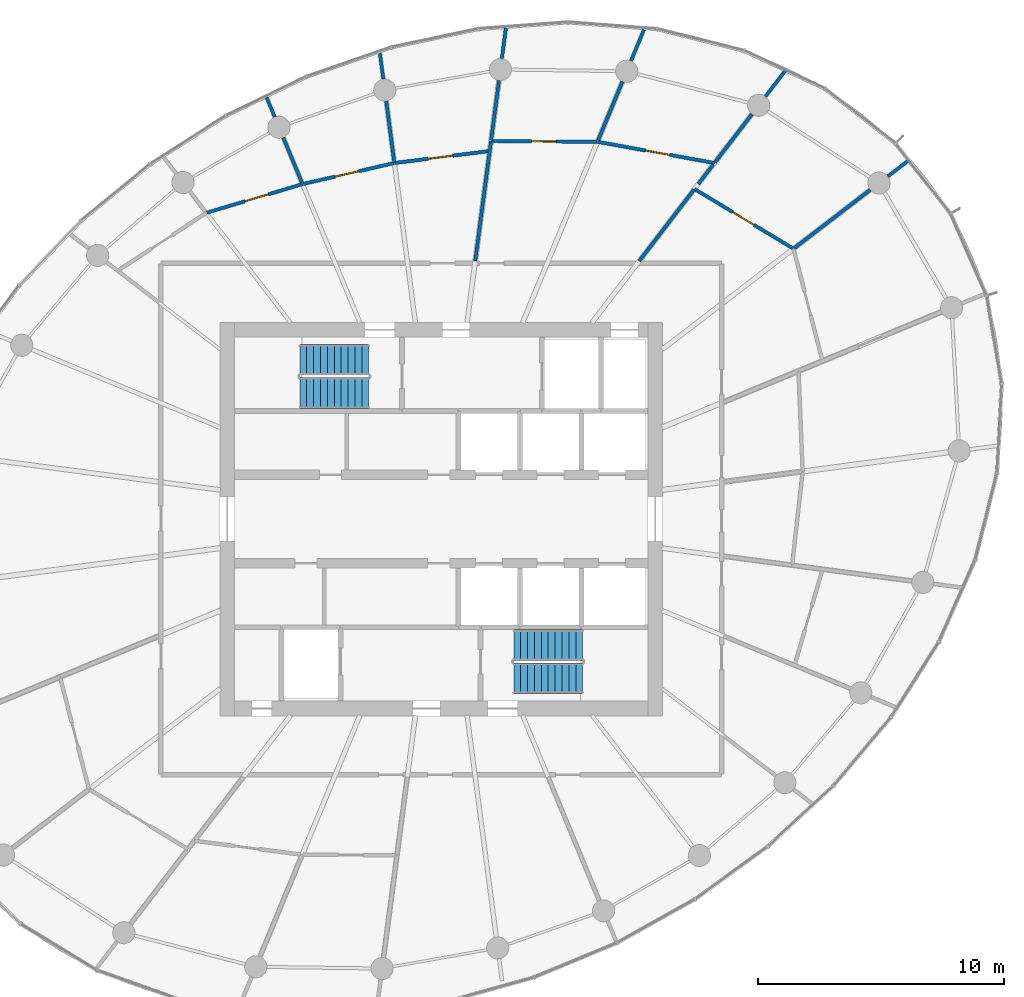
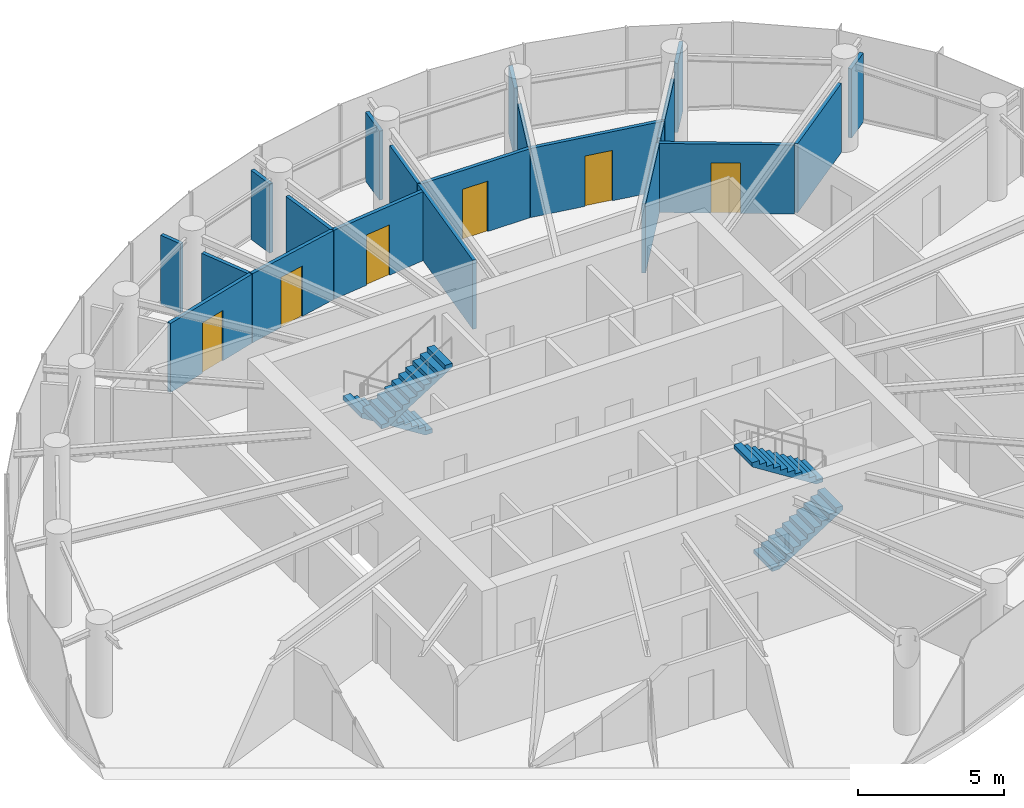
# One storey, part 12 of 14: 21 walls, 6 doors, 4 stair flights, 6 openings, 2 elements without a shape of their own.
"""IFC4 building model written with IfcOpenShell, lengths in metres."""

from ifc_helpers import new_model, si_unit, direction, frame, frame_2d, origin, place, context, subcontext, project, spatial, line, indexed_curve, rectangle, outline, extrude, source, transform, mapped, material, layer, layer_set, type_object, element, fill, aggregate, save


model = new_model("IFC4")

# Units and contexts
model_context = context("Model", 3, precision=1e-05, world=origin(), true_north=direction((0.0, 1.0)))
body_context = subcontext(model_context, "Body", "Model", "MODEL_VIEW")
ifc_project = project(units=[si_unit("LENGTHUNIT", "METRE"), si_unit("AREAUNIT", "SQUARE_METRE"), si_unit("VOLUMEUNIT", "CUBIC_METRE"), si_unit("PLANEANGLEUNIT", "RADIAN"), si_unit("MASSUNIT", "GRAM", prefix="KILO")], contexts=[model_context])

# Site, building, storey
site_placement = place(None, origin())
site = spatial("IfcSite", under=ifc_project, at=site_placement, CompositionType="ELEMENT")
building_placement = place(site_placement, origin())
building = spatial("IfcBuilding", under=site, at=building_placement, Name="Spindrift Exchange Tower", CompositionType="ELEMENT")
storey_placement = place(building_placement, frame((0.0, 0.0, 211.10009765625)))
storey = spatial("IfcBuildingStorey", under=building, at=storey_placement, Name="L51", CompositionType="ELEMENT", Elevation=211.10009765625)

# Wall
ifc_material_1 = material(Name="Fire-rated plasterboard partition", Category="gypsum")
ifc_layer = layer(ifc_material_1, 0.139892578125)
ifc_layer_set = layer_set([ifc_layer], Name="W-PART-140")
wall_type = type_object("IfcWallType", Name="W-PART-140", PredefinedType="PARTITIONING", material=ifc_layer_set)
wall_1_placement = place(storey_placement, frame((53.381103515625, 58.489990234375, 0.0), z_axis=(0.0, 0.0, 1.0), x_axis=(0.130510929427, 0.991446870639, 0.0)))
element("IfcWall", 1, at=wall_1_placement, inside=storey, type_object=wall_type, Name="L51 Partition wall 35", PredefinedType="PARTITIONING", context=body_context, shape_type="SweptSolid", body=[
    extrude(rectangle(XDim=4.925537109375, YDim=0.139892578125, at=frame_2d((2.462890625, 0.0))), origin(), (0.0, 0.0, 1.0), 2.8798828125),
])

# Wall, opening, door
wall_2_placement = place(storey_placement, frame((58.353759765625, 63.33935546875, 0.0), z_axis=(0.0, 0.0, 1.0), x_axis=(0.983980456021, -0.178276364581, 0.0)))
wall_2 = element("IfcWall", 2, at=wall_2_placement, inside=storey, type_object=wall_type, Name="L51 Partition wall 37", PredefinedType="PARTITIONING", context=body_context, shape_type="SweptSolid", body=[
    extrude(rectangle(XDim=4.832763671875, YDim=0.139892578125, at=frame_2d((2.41650390625, 0.0))), origin(), (0.0, 0.0, 1.0), 2.8798828125),
])
opening_1_placement = place(wall_2_placement, frame((1.98291015625, 0.0, 0.0)))
opening_1 = element("IfcOpeningElement", 3, at=opening_1_placement, cuts=wall_2, Name="Opening L51-D26", PredefinedType="OPENING", context=body_context, shape_type="SweptSolid", body=[
    extrude(rectangle(XDim=1.0, YDim=2.10009765625, at=frame_2d((0.5, 1.050048828125))), frame((0.0, 0.079833984375, 0.0), z_axis=(0.0, -1.0, 0.0), x_axis=(1.0, 0.0, 0.0)), (0.0, 0.0, 1.0), 0.159912109375),
])
ifc_material_2 = material(Name="Timber-core fire door", Category="wood")
door_type = type_object("IfcDoorType", Name="DR-ROOM-1000", OperationType="NOTDEFINED", PredefinedType="DOOR", material=ifc_material_2)
shared_shape = source(origin(), body_context, "Body", "SweptSolid", [
    extrude(rectangle(XDim=1.0, YDim=2.10009765625, at=frame_2d((0.5, 1.050048828125))), frame((0.0, 0.02490234375, 0.0), z_axis=(0.0, -1.0, 0.0), x_axis=(1.0, 0.0, 0.0)), (0.0, 0.0, 1.0), 0.050048828125),
])
door_1_placement = place(opening_1_placement, origin())
door_1 = element("IfcDoor", 4, at=door_1_placement, inside=storey, type_object=door_type, Name="L51 Door 26", OperationType="SINGLE_SWING_RIGHT", OverallHeight=2.10009765625, OverallWidth=1.0, PredefinedType="DOOR", context=body_context, shape_type="MappedRepresentation", body=[
    mapped(shared_shape, transform((0.0, 0.0, 0.0), scale=1.0)),
])
fill(opening_1, door_1)

wall_3_placement = place(storey_placement, frame((62.297607421875, 61.419921875, 0.0), z_axis=(0.0, 0.0, 1.0), x_axis=(0.856310382511, -0.516461546298, 0.0)))
wall_3 = element("IfcWall", 5, at=wall_3_placement, inside=storey, type_object=wall_type, Name="L51 Partition wall 40", PredefinedType="PARTITIONING", context=body_context, shape_type="SweptSolid", body=[
    extrude(rectangle(XDim=4.67236328125, YDim=0.139892578125, at=frame_2d((2.336181640625, 0.0))), origin(), (0.0, 0.0, 1.0), 2.8798828125),
])
opening_2_placement = place(wall_3_placement, frame((1.822509765625, 0.0, 0.0)))
opening_2 = element("IfcOpeningElement", 6, at=opening_2_placement, cuts=wall_3, Name="Opening L51-D23", PredefinedType="OPENING", context=body_context, shape_type="SweptSolid", body=[
    extrude(rectangle(XDim=1.0, YDim=2.10009765625, at=frame_2d((0.5, 1.050048828125))), frame((0.0, 0.079833984375, 0.0), z_axis=(0.0, -1.0, 0.0), x_axis=(1.0, 0.0, 0.0)), (0.0, 0.0, 1.0), 0.159912109375),
])
door_2_placement = place(opening_2_placement, origin())
door_2 = element("IfcDoor", 7, at=door_2_placement, inside=storey, type_object=door_type, Name="L51 Door 23", OperationType="SINGLE_SWING_LEFT", OverallHeight=2.10009765625, OverallWidth=1.0, PredefinedType="DOOR", context=body_context, shape_type="MappedRepresentation", body=[
    mapped(shared_shape, transform((0.0, 0.0, 0.0), scale=1.0)),
])
fill(opening_2, door_2)

wall_4_placement = place(storey_placement, frame((54.053955078125, 63.373046875, 0.0), z_axis=(0.0, 0.0, 1.0), x_axis=(0.999969319587, -0.007833255005, 0.0)))
wall_4 = element("IfcWall", 8, at=wall_4_placement, inside=storey, type_object=wall_type, Name="L51 Partition wall 45", PredefinedType="PARTITIONING", context=body_context, shape_type="SweptSolid", body=[
    extrude(rectangle(XDim=4.27001953125, YDim=0.139892578125, at=frame_2d((2.135009765625, 0.0))), origin(), (0.0, 0.0, 1.0), 2.8798828125),
])
opening_3_placement = place(wall_4_placement, frame((1.6201171875, 0.0, 0.0)))
opening_3 = element("IfcOpeningElement", 9, at=opening_3_placement, cuts=wall_4, Name="Opening L51-D27", PredefinedType="OPENING", context=body_context, shape_type="SweptSolid", body=[
    extrude(rectangle(XDim=1.0, YDim=2.10009765625, at=frame_2d((0.5, 1.050048828125))), frame((0.0, 0.079833984375, 0.0), z_axis=(0.0, -1.0, 0.0), x_axis=(1.0, 0.0, 0.0)), (0.0, 0.0, 1.0), 0.159912109375),
])
door_3_placement = place(opening_3_placement, origin())
door_3 = element("IfcDoor", 10, at=door_3_placement, inside=storey, type_object=door_type, Name="L51 Door 27", OperationType="SINGLE_SWING_LEFT", OverallHeight=2.10009765625, OverallWidth=1.0, PredefinedType="DOOR", context=body_context, shape_type="MappedRepresentation", body=[
    mapped(shared_shape, transform((0.0, 0.0, 0.0), scale=1.0)),
])
fill(opening_3, door_3)

wall_5_placement = place(storey_placement, frame((42.474853515625, 60.45947265625, 0.0), z_axis=(0.0, 0.0, 1.0), x_axis=(0.958218274214, 0.286038002655, 0.0)))
wall_5 = element("IfcWall", 11, at=wall_5_placement, inside=storey, type_object=wall_type, Name="L51 Partition wall 49", PredefinedType="PARTITIONING", context=body_context, shape_type="SweptSolid", body=[
    extrude(rectangle(XDim=4.053466796875, YDim=0.139892578125, at=frame_2d((2.02685546875, 0.0))), origin(), (0.0, 0.0, 1.0), 2.8798828125),
])
opening_4_placement = place(wall_5_placement, frame((1.603271484375, 0.0, 0.0)))
opening_4 = element("IfcOpeningElement", 12, at=opening_4_placement, cuts=wall_5, Name="Opening L51-D31", PredefinedType="OPENING", context=body_context, shape_type="SweptSolid", body=[
    extrude(rectangle(XDim=1.0, YDim=2.10009765625, at=frame_2d((0.5, 1.050048828125))), frame((0.0, 0.079833984375, 0.0), z_axis=(0.0, -1.0, 0.0), x_axis=(1.0, 0.0, 0.0)), (0.0, 0.0, 1.0), 0.159912109375),
])
door_4_placement = place(opening_4_placement, origin())
door_4 = element("IfcDoor", 13, at=door_4_placement, inside=storey, type_object=door_type, Name="L51 Door 31", OperationType="SINGLE_SWING_LEFT", OverallHeight=2.10009765625, OverallWidth=1.0, PredefinedType="DOOR", context=body_context, shape_type="MappedRepresentation", body=[
    mapped(shared_shape, transform((0.0, 0.0, 0.0), scale=1.0)),
])
fill(opening_4, door_4)

# Wall
wall_6_placement = place(storey_placement, frame((66.347900390625, 59.009521484375, 0.0), z_axis=(0.0, 0.0, 1.0), x_axis=(0.793347300472, 0.608769300173, 0.0)))
element("IfcWall", 14, at=wall_6_placement, inside=storey, type_object=wall_type, Name="L51 Partition wall 52", PredefinedType="PARTITIONING", context=body_context, shape_type="SweptSolid", body=[
    extrude(rectangle(XDim=3.8994140625, YDim=0.139892578125, at=frame_2d((1.94970703125, 0.0))), origin(), (0.0, 0.0, 1.0), 2.8798828125),
])

# Wall, opening, door
wall_7_placement = place(storey_placement, frame((50.09423828125, 62.476318359375, 0.0), z_axis=(0.0, 0.0, 1.0), x_axis=(0.99213420041, 0.12517878565, 0.0)))
wall_7 = element("IfcWall", 15, at=wall_7_placement, inside=storey, type_object=wall_type, Name="L51 Partition wall 53", PredefinedType="PARTITIONING", context=body_context, shape_type="SweptSolid", body=[
    extrude(rectangle(XDim=3.83447265625, YDim=0.139892578125, at=frame_2d((1.917236328125, 0.0))), origin(), (0.0, 0.0, 1.0), 2.8798828125),
])
opening_5_placement = place(wall_7_placement, frame((1.384521484375, 0.0, 0.0)))
opening_5 = element("IfcOpeningElement", 16, at=opening_5_placement, cuts=wall_7, Name="Opening L51-D29", PredefinedType="OPENING", context=body_context, shape_type="SweptSolid", body=[
    extrude(rectangle(XDim=1.0, YDim=2.10009765625, at=frame_2d((0.5, 1.050048828125))), frame((0.0, 0.079833984375, 0.0), z_axis=(0.0, -1.0, 0.0), x_axis=(1.0, 0.0, 0.0)), (0.0, 0.0, 1.0), 0.159912109375),
])
door_5_placement = place(opening_5_placement, origin())
door_5 = element("IfcDoor", 17, at=door_5_placement, inside=storey, type_object=door_type, Name="L51 Door 29", OperationType="SINGLE_SWING_LEFT", OverallHeight=2.10009765625, OverallWidth=1.0, PredefinedType="DOOR", context=body_context, shape_type="MappedRepresentation", body=[
    mapped(shared_shape, transform((0.0, 0.0, 0.0), scale=1.0)),
])
fill(opening_5, door_5)

wall_8_placement = place(storey_placement, frame((46.387939453125, 61.625732421875, 0.0), z_axis=(0.0, 0.0, 1.0), x_axis=(0.974668578249, 0.223654113699, 0.0)))
wall_8 = element("IfcWall", 18, at=wall_8_placement, inside=storey, type_object=wall_type, Name="L51 Partition wall 57", PredefinedType="PARTITIONING", context=body_context, shape_type="SweptSolid", body=[
    extrude(rectangle(XDim=3.7724609375, YDim=0.139892578125, at=frame_2d((1.88623046875, 0.0))), origin(), (0.0, 0.0, 1.0), 2.8798828125),
])
opening_6_placement = place(wall_8_placement, frame((1.322509765625, 0.0, 0.0)))
opening_6 = element("IfcOpeningElement", 19, at=opening_6_placement, cuts=wall_8, Name="Opening L51-D30", PredefinedType="OPENING", context=body_context, shape_type="SweptSolid", body=[
    extrude(rectangle(XDim=1.0, YDim=2.10009765625, at=frame_2d((0.5, 1.050048828125))), frame((0.0, 0.079833984375, 0.0), z_axis=(0.0, -1.0, 0.0), x_axis=(1.0, 0.0, 0.0)), (0.0, 0.0, 1.0), 0.159912109375),
])
door_6_placement = place(opening_6_placement, origin())
door_6 = element("IfcDoor", 20, at=door_6_placement, inside=storey, type_object=door_type, Name="L51 Door 30", OperationType="SINGLE_SWING_RIGHT", OverallHeight=2.10009765625, OverallWidth=1.0, PredefinedType="DOOR", context=body_context, shape_type="MappedRepresentation", body=[
    mapped(shared_shape, transform((0.0, 0.0, 0.0), scale=1.0)),
])
fill(opening_6, door_6)

# Walls
wall_9_placement = place(storey_placement, frame((60.04931640625, 58.489990234375, 0.0), z_axis=(0.0, 0.0, 1.0), x_axis=(0.60875050296, 0.793361724024, 0.0)))
element("IfcWall", 21, at=wall_9_placement, inside=storey, type_object=wall_type, Name="L51 Partition wall 60", PredefinedType="PARTITIONING", context=body_context, shape_type="SweptSolid", body=[
    extrude(rectangle(XDim=3.663330078125, YDim=0.139892578125, at=frame_2d((1.83154296875, 0.0))), origin(), (0.0, 0.0, 1.0), 2.8798828125),
])
wall_10_placement = place(storey_placement, frame((62.45263671875, 61.622314453125, 0.0), z_axis=(0.0, 0.0, 1.0), x_axis=(0.608872401912, 0.793268175455, 0.0)))
element("IfcWall", 22, at=wall_10_placement, inside=storey, type_object=wall_type, Name="L51 Partition wall 61", PredefinedType="PARTITIONING", context=body_context, shape_type="SweptSolid", body=[
    extrude(rectangle(XDim=0.99951171875, YDim=0.139892578125, at=frame_2d((0.499755859375, 0.0))), origin(), (0.0, 0.0, 1.0), 2.8798828125),
])
wall_11_placement = place(storey_placement, frame((63.12744140625, 62.50146484375, 0.0), z_axis=(0.0, 0.0, 1.0), x_axis=(0.608750837214, 0.793361467549, 0.0)))
element("IfcWall", 23, at=wall_11_placement, inside=storey, type_object=wall_type, Name="L51 Partition wall 62", PredefinedType="PARTITIONING", context=body_context, shape_type="SweptSolid", body=[
    extrude(rectangle(XDim=2.4716796875, YDim=0.139892578125, at=frame_2d((1.23583984375, 0.0))), origin(), (0.0, 0.0, 1.0), 2.8798828125),
])
wall_12_placement = place(storey_placement, frame((54.02783203125, 63.403076171875, 0.0), z_axis=(0.0, 0.0, 1.0), x_axis=(0.130581052229, 0.991437637373, 0.0)))
element("IfcWall", 24, at=wall_12_placement, inside=storey, type_object=wall_type, Name="L51 Partition wall 66", PredefinedType="PARTITIONING", context=body_context, shape_type="SweptSolid", body=[
    extrude(rectangle(XDim=2.445556640625, YDim=0.139892578125, at=frame_2d((1.22265625, 0.0))), origin(), (0.0, 0.0, 1.0), 2.8798828125),
])
wall_13_placement = place(storey_placement, frame((58.381103515625, 63.405517578125, 0.0), z_axis=(0.0, 0.0, 1.0), x_axis=(0.382733405642, 0.923858831319, 0.0)))
element("IfcWall", 25, at=wall_13_placement, inside=storey, type_object=wall_type, Name="L51 Partition wall 70", PredefinedType="PARTITIONING", context=body_context, shape_type="SweptSolid", body=[
    extrude(rectangle(XDim=2.580322265625, YDim=0.139892578125, at=frame_2d((1.2900390625, 0.0))), origin(), (0.0, 0.0, 1.0), 2.8798828125),
])
wall_14_placement = place(storey_placement, frame((50.090087890625, 62.506103515625, 0.0), z_axis=(0.0, 0.0, 1.0), x_axis=(-0.130479700893, 0.991450980964, 0.0)))
element("IfcWall", 26, at=wall_14_placement, inside=storey, type_object=wall_type, Name="L51 Partition wall 71", PredefinedType="PARTITIONING", context=body_context, shape_type="SweptSolid", body=[
    extrude(rectangle(XDim=2.50732421875, YDim=0.139892578125, at=frame_2d((1.253662109375, 0.0))), origin(), (0.0, 0.0, 1.0), 2.8798828125),
])
wall_15_placement = place(storey_placement, frame((46.331787109375, 61.68408203125, 0.0), z_axis=(0.0, 0.0, 1.0), x_axis=(-0.382624406385, 0.923903979664, 0.0)))
element("IfcWall", 27, at=wall_15_placement, inside=storey, type_object=wall_type, Name="L51 Partition wall 74", PredefinedType="PARTITIONING", context=body_context, shape_type="SweptSolid", body=[
    extrude(rectangle(XDim=1.977294921875, YDim=0.139892578125, at=frame_2d((0.98876953125, 0.0))), origin(), (0.0, 0.0, 1.0), 2.8798828125),
])
wall_16_placement = place(storey_placement, frame((59.716796875, 66.630126953125, 0.0), z_axis=(0.0, 0.0, 1.0), x_axis=(0.382733825207, 0.923858657502, 0.0)))
element("IfcWall", 28, at=wall_16_placement, inside=storey, type_object=wall_type, Name="L51 Partition wall 75", PredefinedType="PARTITIONING", context=body_context, shape_type="SweptSolid", body=[
    extrude(rectangle(XDim=1.373291015625, YDim=0.139892578125, at=frame_2d((0.6865234375, 0.0))), origin(), (0.0, 0.0, 1.0), 2.8798828125),
])
wall_17_placement = place(storey_placement, frame((65.185546875, 65.18359375, 0.0), z_axis=(0.0, 0.0, 1.0), x_axis=(0.608692849826, 0.79340595824, 0.0)))
element("IfcWall", 29, at=wall_17_placement, inside=storey, type_object=wall_type, Name="L51 Partition wall 78", PredefinedType="PARTITIONING", context=body_context, shape_type="SweptSolid", body=[
    extrude(rectangle(XDim=1.333740234375, YDim=0.139892578125, at=frame_2d((0.6669921875, 0.0))), origin(), (0.0, 0.0, 1.0), 2.8798828125),
])
wall_18_placement = place(storey_placement, frame((54.4658203125, 66.72900390625, 0.0), z_axis=(0.0, 0.0, 1.0), x_axis=(0.130520415919, 0.991445621821, 0.0)))
element("IfcWall", 30, at=wall_18_placement, inside=storey, type_object=wall_type, Name="L51 Partition wall 80", PredefinedType="PARTITIONING", context=body_context, shape_type="SweptSolid", body=[
    extrude(rectangle(XDim=1.245849609375, YDim=0.139892578125, at=frame_2d((0.623046875, 0.0))), origin(), (0.0, 0.0, 1.0), 2.8798828125),
])
wall_19_placement = place(storey_placement, frame((49.644287109375, 65.89306640625, 0.0), z_axis=(0.0, 0.0, 1.0), x_axis=(-0.130436565077, 0.99145665689, 0.0)))
element("IfcWall", 31, at=wall_19_placement, inside=storey, type_object=wall_type, Name="L51 Partition wall 84", PredefinedType="PARTITIONING", context=body_context, shape_type="SweptSolid", body=[
    extrude(rectangle(XDim=1.0556640625, YDim=0.139892578125, at=frame_2d((0.52783203125, 0.0))), origin(), (0.0, 0.0, 1.0), 2.8798828125),
])
wall_20_placement = place(storey_placement, frame((70.16259765625, 61.936767578125, 0.0), z_axis=(0.0, 0.0, 1.0), x_axis=(0.793403619358, 0.608695898449, 0.0)))
element("IfcWall", 32, at=wall_20_placement, inside=storey, type_object=wall_type, Name="L51 Partition wall 85", PredefinedType="PARTITIONING", context=body_context, shape_type="SweptSolid", body=[
    extrude(rectangle(XDim=1.046875, YDim=0.139892578125, at=frame_2d((0.5234375, 0.0))), origin(), (0.0, 0.0, 1.0), 2.8798828125),
])
wall_21_placement = place(storey_placement, frame((45.226806640625, 64.351806640625, 0.0), z_axis=(0.0, 0.0, 1.0), x_axis=(-0.382754217383, 0.92385020922, 0.0)))
element("IfcWall", 33, at=wall_21_placement, inside=storey, type_object=wall_type, Name="L51 Partition wall 91", PredefinedType="PARTITIONING", context=body_context, shape_type="SweptSolid", body=[
    extrude(rectangle(XDim=0.857177734375, YDim=0.139892578125, at=frame_2d((0.4287109375, 0.0))), origin(), (0.0, 0.0, 1.0), 2.8798828125),
])

# Stair, stair flights
ifc_material_3 = material(Name="Concrete 50 MPa", Category="concrete")
stair_type = type_object("IfcStairType", Name="ST-1250-R177", PredefinedType="HALF_TURN_STAIR", material=ifc_material_3)
stair_1_placement = place(storey_placement, origin())
stair_1 = element("IfcStair", 34, at=stair_1_placement, inside=storey, type_object=stair_type, Name="L51 Exit stair ST1", PredefinedType="HALF_TURN_STAIR")
stair_flight_type = type_object("IfcStairFlightType", Name="STF-1250-R177", PredefinedType="STRAIGHT", material=ifc_material_3)
stair_flight_1_placement = place(storey_placement, frame((49.050048828125, 54.47509765625, 0.0), z_axis=(0.0, 0.0, 1.0), x_axis=(-1.0, 0.0, 0.0)))
stair_flight_1 = element("IfcStairFlight", 35, at=stair_flight_1_placement, type_object=stair_flight_type, Name="ST1 flight 1", NumberOfRisers=11, NumberOfTreads=10, PredefinedType="STRAIGHT", RiserHeight=0.177272727, TreadLength=0.28, context=body_context, shape_type="SweptSolid", body=[
    extrude(outline(indexed_curve([(0.0, 0.0), (0.0, 0.177734375), (0.2802734375, 0.177734375), (0.2802734375, 0.3544921875), (0.5595703125, 0.3544921875), (0.5595703125, 0.5322265625), (0.83984375, 0.5322265625), (0.83984375, 0.708984375), (1.1201171875, 0.708984375), (1.1201171875, 0.88671875), (1.400390625, 0.88671875), (1.400390625, 1.0634765625), (1.6796875, 1.0634765625), (1.6796875, 1.2412109375), (1.9599609375, 1.2412109375), (1.9599609375, 1.41796875), (2.240234375, 1.41796875), (2.240234375, 1.595703125), (2.51953125, 1.595703125), (2.51953125, 1.7724609375), (2.7998046875, 1.7724609375), (2.7998046875, 1.9501953125), (2.7998046875, 1.595703125), (0.2802734375, 0.0)], segments=[line(1, 2, 3, 4, 5, 6, 7, 8, 9, 10, 11, 12, 13, 14, 15, 16, 17, 18, 19, 20, 21, 22, 23, 24, 1)], self_intersect=False)), frame((0.0, 0.625, 0.0), z_axis=(0.0, -1.0, 0.0), x_axis=(1.0, 0.0, 0.0)), (0.0, 0.0, 1.0), 1.25),
])
stair_flight_2_placement = place(storey_placement, frame((46.25, 53.125, 1.949951171875), z_axis=(0.0, 0.0, 1.0), x_axis=(1.0, 0.0, 0.0)))
stair_flight_2 = element("IfcStairFlight", 36, at=stair_flight_2_placement, type_object=stair_flight_type, Name="ST1 flight 2", NumberOfRisers=11, NumberOfTreads=10, PredefinedType="STRAIGHT", RiserHeight=0.177272727, TreadLength=0.28, context=body_context, shape_type="SweptSolid", body=[
    extrude(outline(indexed_curve([(0.0, 0.0), (0.0, 0.177734375), (0.2802734375, 0.177734375), (0.2802734375, 0.3544921875), (0.5595703125, 0.3544921875), (0.5595703125, 0.5322265625), (0.83984375, 0.5322265625), (0.83984375, 0.708984375), (1.1201171875, 0.708984375), (1.1201171875, 0.88671875), (1.400390625, 0.88671875), (1.400390625, 1.0634765625), (1.6796875, 1.0634765625), (1.6796875, 1.2412109375), (1.9599609375, 1.2412109375), (1.9599609375, 1.41796875), (2.240234375, 1.41796875), (2.240234375, 1.595703125), (2.51953125, 1.595703125), (2.51953125, 1.7724609375), (2.7998046875, 1.7724609375), (2.7998046875, 1.9501953125), (2.7998046875, 1.595703125), (0.2802734375, 0.0)], segments=[line(1, 2, 3, 4, 5, 6, 7, 8, 9, 10, 11, 12, 13, 14, 15, 16, 17, 18, 19, 20, 21, 22, 23, 24, 1)], self_intersect=False)), frame((0.0, 0.625, 0.0), z_axis=(0.0, -1.0, 0.0), x_axis=(1.0, 0.0, 0.0)), (0.0, 0.0, 1.0), 1.25),
])
aggregate(stair_1, [stair_flight_1, stair_flight_2])

stair_2_placement = place(storey_placement, origin())
stair_2 = element("IfcStair", 37, at=stair_2_placement, inside=storey, type_object=stair_type, Name="L51 Exit stair ST2", PredefinedType="HALF_TURN_STAIR")
stair_flight_3_placement = place(storey_placement, frame((54.949951171875, 41.52490234375, 0.0), z_axis=(0.0, 0.0, 1.0), x_axis=(1.0, 0.0, 0.0)))
stair_flight_3 = element("IfcStairFlight", 38, at=stair_flight_3_placement, type_object=stair_flight_type, Name="ST2 flight 1", NumberOfRisers=11, NumberOfTreads=10, PredefinedType="STRAIGHT", RiserHeight=0.177272727, TreadLength=0.28, context=body_context, shape_type="SweptSolid", body=[
    extrude(outline(indexed_curve([(0.0, 0.0), (0.0, 0.177734375), (0.2802734375, 0.177734375), (0.2802734375, 0.3544921875), (0.5595703125, 0.3544921875), (0.5595703125, 0.5322265625), (0.83984375, 0.5322265625), (0.83984375, 0.708984375), (1.1201171875, 0.708984375), (1.1201171875, 0.88671875), (1.400390625, 0.88671875), (1.400390625, 1.0634765625), (1.6796875, 1.0634765625), (1.6796875, 1.2412109375), (1.9599609375, 1.2412109375), (1.9599609375, 1.41796875), (2.240234375, 1.41796875), (2.240234375, 1.595703125), (2.51953125, 1.595703125), (2.51953125, 1.7724609375), (2.7998046875, 1.7724609375), (2.7998046875, 1.9501953125), (2.7998046875, 1.595703125), (0.2802734375, 0.0)], segments=[line(1, 2, 3, 4, 5, 6, 7, 8, 9, 10, 11, 12, 13, 14, 15, 16, 17, 18, 19, 20, 21, 22, 23, 24, 1)], self_intersect=False)), frame((0.0, 0.625, 0.0), z_axis=(0.0, -1.0, 0.0), x_axis=(1.0, 0.0, 0.0)), (0.0, 0.0, 1.0), 1.25),
])
stair_flight_4_placement = place(storey_placement, frame((57.75, 42.875, 1.949951171875), z_axis=(0.0, 0.0, 1.0), x_axis=(-1.0, 0.0, 0.0)))
stair_flight_4 = element("IfcStairFlight", 39, at=stair_flight_4_placement, type_object=stair_flight_type, Name="ST2 flight 2", NumberOfRisers=11, NumberOfTreads=10, PredefinedType="STRAIGHT", RiserHeight=0.177272727, TreadLength=0.28, context=body_context, shape_type="SweptSolid", body=[
    extrude(outline(indexed_curve([(0.0, 0.0), (0.0, 0.177734375), (0.2802734375, 0.177734375), (0.2802734375, 0.3544921875), (0.5595703125, 0.3544921875), (0.5595703125, 0.5322265625), (0.83984375, 0.5322265625), (0.83984375, 0.708984375), (1.1201171875, 0.708984375), (1.1201171875, 0.88671875), (1.400390625, 0.88671875), (1.400390625, 1.0634765625), (1.6796875, 1.0634765625), (1.6796875, 1.2412109375), (1.9599609375, 1.2412109375), (1.9599609375, 1.41796875), (2.240234375, 1.41796875), (2.240234375, 1.595703125), (2.51953125, 1.595703125), (2.51953125, 1.7724609375), (2.7998046875, 1.7724609375), (2.7998046875, 1.9501953125), (2.7998046875, 1.595703125), (0.2802734375, 0.0)], segments=[line(1, 2, 3, 4, 5, 6, 7, 8, 9, 10, 11, 12, 13, 14, 15, 16, 17, 18, 19, 20, 21, 22, 23, 24, 1)], self_intersect=False)), frame((0.0, 0.625, 0.0), z_axis=(0.0, -1.0, 0.0), x_axis=(1.0, 0.0, 0.0)), (0.0, 0.0, 1.0), 1.25),
])
aggregate(stair_2, [stair_flight_3, stair_flight_4])

save(model, "model.ifc")
